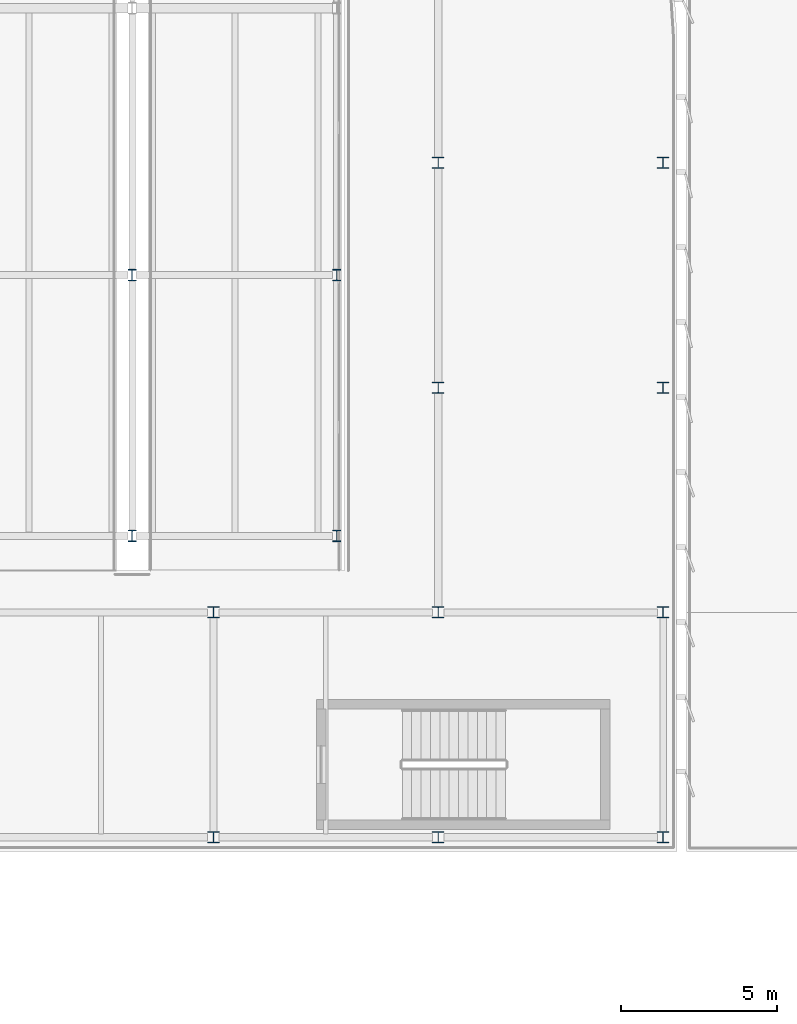
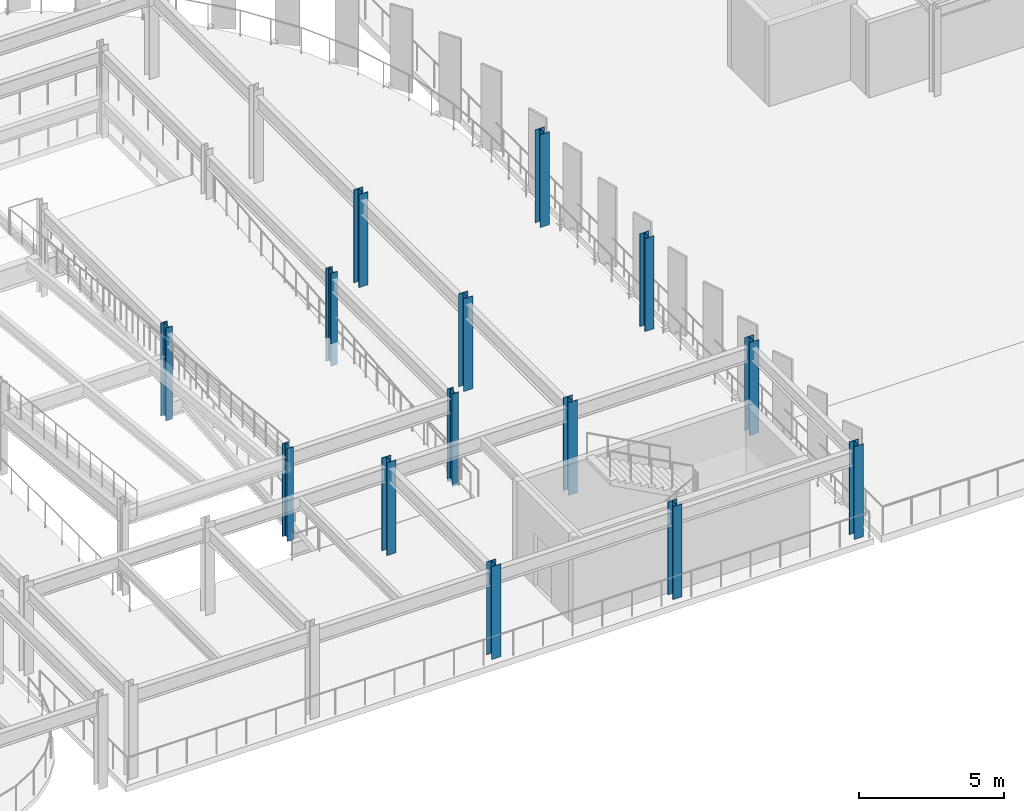
# One storey, part 10 of 52: 14 columns.
"""IFC4 building model written with IfcOpenShell, lengths in metres."""

import ifcopenshell
import ifcopenshell.guid

model = None  # the IFC model being written
_history = None  # IfcOwnerHistory: only IFC2X3 demands one
_inside = {}  # id of a spatial element -> (the spatial element, [elements in it])
_under = {}  # id of a project, library or spatial element -> (it, [spatial elements below it])
_declared = {}  # id of a project -> (the project, [libraries it declares])
_typed = {}  # id of a type object -> (the type object, [elements of that type])
_made_of = {}  # id of a material, layer set ... -> (it, [elements and type objects made of it])


def new_model(schema):
    """Start an empty IFC model of exactly this schema.

    Asked for "IFC4X3", IfcOpenShell would pick the latest addendum, in which some entities
    have other attributes; the version numbers below select the first issue.
    IFC2X3 requires an IfcOwnerHistory on every rooted entity: one is made here for all.
    """
    global model, _history
    if schema == "IFC4X3":
        model = ifcopenshell.file(schema_version=(4, 3, 0, 0))
    else:
        model = ifcopenshell.file(schema=schema)
    _inside.clear()
    _under.clear()
    _declared.clear()
    _typed.clear()
    _made_of.clear()
    _history = None
    if model.schema == "IFC2X3":
        org = make("IfcOrganization", Name="unknown")
        user = make(
            "IfcPersonAndOrganization",
            ThePerson=make("IfcPerson", FamilyName="unknown"),
            TheOrganization=org,
        )
        app = make(
            "IfcApplication",
            ApplicationDeveloper=org,
            Version="unknown",
            ApplicationFullName="unknown",
            ApplicationIdentifier="unknown",
        )
        _history = make(
            "IfcOwnerHistory",
            OwningUser=user,
            OwningApplication=app,
            ChangeAction="ADDED",
            CreationDate=0,
        )
    return model


def make(cls, **values):
    """One entity of the class cls with the attributes given. An attribute that is None is left unset."""
    return model.create_entity(
        cls, **{name: value for name, value in values.items() if value is not None}
    )


def rooted(cls, **values):
    """An entity with a GlobalId (a new one), such as an element, a storey or a relation."""
    return make(cls, GlobalId=ifcopenshell.guid.new(), OwnerHistory=_history, **values)


def si_unit(unit_type, name, prefix=None):
    """IfcSIUnit, for example si_unit("LENGTHUNIT", "METRE", prefix="MILLI")."""
    return make("IfcSIUnit", UnitType=unit_type, Prefix=prefix, Name=name)


def assignment(units):
    """IfcUnitAssignment: the units of a project."""
    return None if units is None else make("IfcUnitAssignment", Units=units)


def point(xyz):
    """IfcCartesianPoint."""
    return None if xyz is None else make("IfcCartesianPoint", Coordinates=xyz)


def direction(xyz):
    """IfcDirection."""
    return None if xyz is None else make("IfcDirection", DirectionRatios=xyz)


def frame(location, z_axis=None, x_axis=None):
    """IfcAxis2Placement3D, a coordinate frame: its origin and axes. An axis left out is left unset."""
    return make(
        "IfcAxis2Placement3D",
        Location=point(location),
        Axis=direction(z_axis),
        RefDirection=direction(x_axis),
    )


def frame_2d(location, x_axis=None):
    """IfcAxis2Placement2D, a coordinate frame in the plane: its origin and x axis."""
    return make(
        "IfcAxis2Placement2D", Location=point(location), RefDirection=direction(x_axis)
    )


def origin():
    """The frame at (0, 0, 0) with its axes left unset."""
    return frame((0.0, 0.0, 0.0))


def origin_2d():
    """The frame at (0, 0) in the plane with its x axis left unset."""
    return frame_2d((0.0, 0.0))


def place(relative_to, where):
    """IfcLocalPlacement: puts the frame where relative to a parent placement (None: the world)."""
    return make(
        "IfcLocalPlacement", PlacementRelTo=relative_to, RelativePlacement=where
    )


def context(
    kind, dimensions, precision=None, world=None, true_north=None, identifier=None
):
    """IfcGeometricRepresentationContext, for example the 3D "Model" context."""
    return make(
        "IfcGeometricRepresentationContext",
        ContextIdentifier=identifier,
        ContextType=kind,
        CoordinateSpaceDimension=dimensions,
        Precision=precision,
        WorldCoordinateSystem=world,
        TrueNorth=true_north,
    )


def subcontext(parent, identifier, kind, view, scale=None):
    """IfcGeometricRepresentationSubContext, for example "Body" below "Model"."""
    return make(
        "IfcGeometricRepresentationSubContext",
        ContextIdentifier=identifier,
        ContextType=kind,
        ParentContext=parent,
        TargetScale=scale,
        TargetView=view,
    )


def project(units=None, contexts=None):
    """IfcProject with its units and contexts."""
    return rooted(
        "IfcProject",
        Name="project",
        RepresentationContexts=contexts,
        UnitsInContext=assignment(units),
    )


def spatial(cls, under=None, at=None, **own):
    """A site, building, storey or space (cls), placed at a placement, below another one or the project."""
    s = rooted(cls, ObjectPlacement=at, **own)
    if under is not None:
        _under.setdefault(under.id(), (under, []))[1].append(s)
    return s


def profile(cls, at=None, kind="AREA", **sizes):
    """A parametric profile (cls). Its sizes go by their IFC names, for example OverallWidth=200.0."""
    return make(cls, ProfileType=kind, Position=at, **sizes)


def i_section(**sizes):
    """IfcIShapeProfileDef."""
    return profile("IfcIShapeProfileDef", **sizes)


def extrude(swept, where, along, depth):
    """IfcExtrudedAreaSolid: the profile swept, set in the frame where, extruded along a direction by depth."""
    return make(
        "IfcExtrudedAreaSolid",
        SweptArea=swept,
        Position=where,
        ExtrudedDirection=direction(along),
        Depth=depth,
    )


def shape(context_of_items, identifier, shape_type, items):
    """IfcShapeRepresentation: the items that make up one representation, for example the "Body"."""
    return make(
        "IfcShapeRepresentation",
        ContextOfItems=context_of_items,
        RepresentationIdentifier=identifier,
        RepresentationType=shape_type,
        Items=items,
    )


def material(Name=None, Category=None):
    """IfcMaterial."""
    return make("IfcMaterial", Name=Name, Category=Category)


def material_profile(
    of_material, cross_section, Name=None, Category=None, Priority=None
):
    """IfcMaterialProfile: a cross section and its material."""
    return make(
        "IfcMaterialProfile",
        Name=Name,
        Material=of_material,
        Profile=cross_section,
        Priority=Priority,
        Category=Category,
    )


def profile_set(profiles, Name=None, composite=None):
    """IfcMaterialProfileSet."""
    return make(
        "IfcMaterialProfileSet",
        Name=Name,
        MaterialProfiles=profiles,
        CompositeProfile=composite,
    )


def made_of(thing, what):
    """Note that an element or type object is made of a material, layer set ...; save() writes the relation."""
    if what is not None:
        _made_of.setdefault(what.id(), (what, []))[1].append(thing)
    return thing


def type_object(cls, material=None, **own):
    """A type object (cls), such as IfcWallType, which elements share."""
    return made_of(rooted(cls, **own), material)


def element(
    cls,
    number,
    at=None,
    inside=None,
    cuts=None,
    type_object=None,
    material=None,
    context=None,
    identifier="Body",
    shape_type=None,
    held_by="IfcProductDefinitionShape",
    body=None,
    shapes=None,
    **own,
):
    """One element of the class cls, such as IfcWall. Its Tag is "e" and its number.

    at: its placement. inside: the storey or other place that contains it. cuts: it is an
    opening in that element (IfcRelVoidsElement). A single representation is given by context,
    identifier, shape_type and body (its items); several are given by shapes. held_by: the class
    of the entity that holds the representations. save() writes the other relations.
    """
    e = rooted(cls, Tag="e%d" % number, ObjectPlacement=at, **own)
    if body is not None:
        shapes = [shape(context, identifier, shape_type, body)]
    if shapes is not None:
        e.Representation = make(held_by, Representations=shapes)
    if inside is not None:
        _inside.setdefault(inside.id(), (inside, []))[1].append(e)
    if cuts is not None:
        rooted(
            "IfcRelVoidsElement", RelatingBuildingElement=cuts, RelatedOpeningElement=e
        )
    if type_object is not None:
        _typed.setdefault(type_object.id(), (type_object, []))[1].append(e)
    return made_of(e, material)


def aggregate(whole, parts):
    """IfcRelAggregates: a whole, such as a stair, and the parts it consists of."""
    return rooted("IfcRelAggregates", RelatingObject=whole, RelatedObjects=parts)


def save(model, path):
    """Write the relations noted so far, then the file.

    IfcRelAggregates (storeys below a building ...), IfcRelContainedInSpatialStructure (elements
    in a storey), IfcRelDefinesByType, IfcRelAssociatesMaterial and IfcRelDeclares: one each for
    every whole, place, type object, material and project.
    """
    for whole, parts in _under.values():
        aggregate(whole, parts)
    for where, things in _inside.values():
        rooted(
            "IfcRelContainedInSpatialStructure",
            RelatedElements=things,
            RelatingStructure=where,
        )
    for kind, things in _typed.values():
        rooted("IfcRelDefinesByType", RelatedObjects=things, RelatingType=kind)
    for what, things in _made_of.values():
        rooted("IfcRelAssociatesMaterial", RelatedObjects=things, RelatingMaterial=what)
    for by, libraries in _declared.values():
        rooted("IfcRelDeclares", RelatingContext=by, RelatedDefinitions=libraries)
    model.write(path)


model = new_model("IFC4")

# Units and contexts
model_context = context("Model", 3, precision=1e-05, world=origin(), true_north=direction((0.0, 1.0)))
body_context = subcontext(model_context, "Body", "Model", "MODEL_VIEW")
ifc_project = project(units=[si_unit("LENGTHUNIT", "METRE"), si_unit("AREAUNIT", "SQUARE_METRE"), si_unit("VOLUMEUNIT", "CUBIC_METRE"), si_unit("PLANEANGLEUNIT", "RADIAN"), si_unit("MASSUNIT", "GRAM", prefix="KILO")], contexts=[model_context])

# Site, building, storey
site_placement = place(None, origin())
site = spatial("IfcSite", under=ifc_project, at=site_placement, CompositionType="ELEMENT")
building_placement = place(site_placement, origin())
building = spatial("IfcBuilding", under=site, at=building_placement, Name="Vaelcorin Mobility Hub", CompositionType="ELEMENT")
storey_placement = place(building_placement, frame((0.0, 0.0, 13.199951171875)))
storey = spatial("IfcBuildingStorey", under=building, at=storey_placement, Name="L03", CompositionType="ELEMENT", Elevation=13.199951171875)

# Columns
ifc_material = material(Name="Steel ASTM A992 Grade 50", Category="steel")
ifc_material_profile_1 = material_profile(ifc_material, i_section(OverallWidth=0.257080078125, OverallDepth=0.363037109375, WebThickness=0.012939453125, FlangeThickness=0.021728515625, FilletRadius=0.014892578125, at=origin_2d()), Name="W14X82")
ifc_profile_set_1 = profile_set([ifc_material_profile_1], Name="Steel ASTM A992 Grade 50")
column_type_1 = type_object("IfcColumnType", Name="COL-W14X82", PredefinedType="COLUMN", material=ifc_profile_set_1)
for number, where, z_axis, x_axis, name in (
    (1, (135.39990234375, 86.449951171875, 0.0), (0.0, 0.0, 1.0), (1.0, 0.0, 0.0), "Column V2E-RDRM-MS L03"),
    (2, (141.949951171875, 86.449951171875, 0.0), (0.0, 0.0, 1.0), (1.0, 0.0, 0.0), "Column V2E-RDRM-ES L03"),
    (3, (135.39990234375, 94.800048828125, 0.0), (0.0, 0.0, 1.0), (1.0, 0.0, 0.0), "Column V2E-RDRM-MC L03"),
    (4, (141.949951171875, 94.800048828125, 0.0), (0.0, 0.0, 1.0), (1.0, 0.0, 0.0), "Column V2E-RDRM-EC L03"),
):
    element("IfcColumn", number, at=place(storey_placement, frame(where, z_axis=z_axis, x_axis=x_axis)), inside=storey, type_object=column_type_1, Name=name, PredefinedType="COLUMN", context=body_context, shape_type="SweptSolid", body=[
        extrude(i_section(OverallWidth=0.257080078125, OverallDepth=0.363037109375, WebThickness=0.012939453125, FlangeThickness=0.021728515625, FilletRadius=0.014892578125, at=origin_2d()), origin(), (0.0, 0.0, 1.0), 3.900146484375),
    ])
ifc_material_profile_2 = material_profile(ifc_material, i_section(OverallWidth=0.367919921875, OverallDepth=0.35595703125, WebThickness=0.01123046875, FlangeThickness=0.01806640625, FilletRadius=0.014892578125, at=origin_2d()), Name="W14X90")
ifc_profile_set_2 = profile_set([ifc_material_profile_2], Name="Steel ASTM A992 Grade 50")
column_type_2 = type_object("IfcColumnType", Name="COL-W14X90", PredefinedType="COLUMN", material=ifc_profile_set_2)
for number, where, z_axis, x_axis, name in (
    (5, (138.0, 76.800048828125, 0.0), (0.0, 0.0, 1.0), (1.0, 0.0, 0.0), "Column V2E-G3x1 L03"),
    (6, (138.0, 84.0, 0.0), (0.0, 0.0, 1.0), (1.0, 0.0, 0.0), "Column V2E-G3x2 L03"),
    (7, (145.199951171875, 76.800048828125, 0.0), (0.0, 0.0, 1.0), (1.0, 0.0, 0.0), "Column V2E-G4x1 L03"),
    (8, (145.199951171875, 84.0, 0.0), (0.0, 0.0, 1.0), (1.0, 0.0, 0.0), "Column V2E-G4x2 L03"),
    (9, (145.199951171875, 91.199951171875, 0.0), (0.0, 0.0, 1.0), (1.0, 0.0, 0.0), "Column V2E-G4x3 L03"),
    (10, (145.199951171875, 98.39990234375, 0.0), (0.0, 0.0, 1.0), (1.0, 0.0, 0.0), "Column V2E-G4x4 L03"),
    (11, (152.39990234375, 76.800048828125, 0.0), (0.0, 0.0, 1.0), (1.0, 0.0, 0.0), "Column V2E-G5x1 L03"),
    (12, (152.39990234375, 84.0, 0.0), (0.0, 0.0, 1.0), (1.0, 0.0, 0.0), "Column V2E-G5x2 L03"),
    (13, (152.39990234375, 91.199951171875, 0.0), (0.0, 0.0, 1.0), (1.0, 0.0, 0.0), "Column V2E-G5x3 L03"),
    (14, (152.39990234375, 98.39990234375, 0.0), (0.0, 0.0, 1.0), (1.0, 0.0, 0.0), "Column V2E-G5x4 L03"),
):
    element("IfcColumn", number, at=place(storey_placement, frame(where, z_axis=z_axis, x_axis=x_axis)), inside=storey, type_object=column_type_2, Name=name, PredefinedType="COLUMN", context=body_context, shape_type="SweptSolid", body=[
        extrude(i_section(OverallWidth=0.367919921875, OverallDepth=0.35595703125, WebThickness=0.01123046875, FlangeThickness=0.01806640625, FilletRadius=0.014892578125, at=origin_2d()), origin(), (0.0, 0.0, 1.0), 3.900146484375),
    ])

save(model, "model.ifc")
